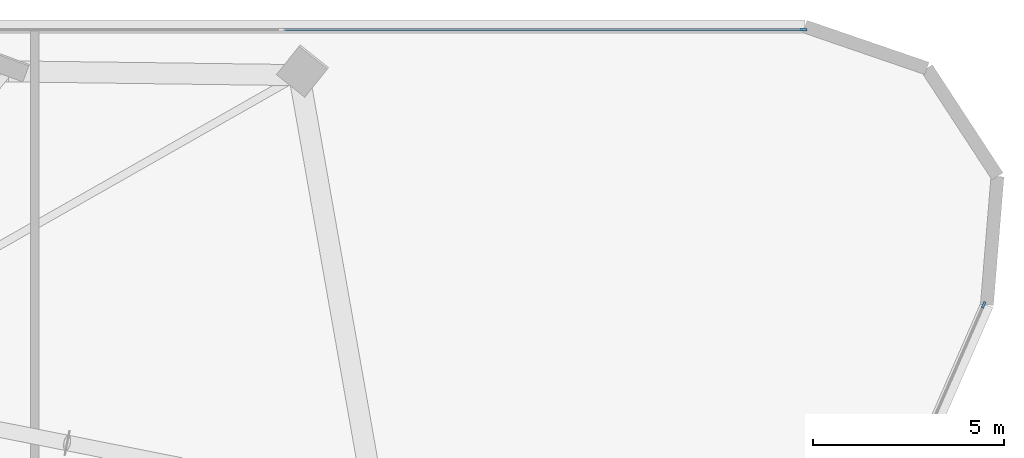
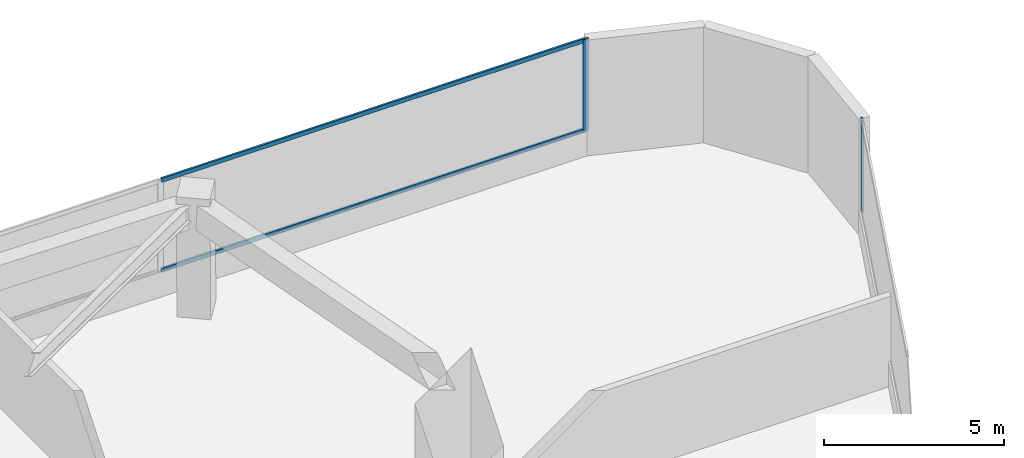
# One storey, part 14 of 20: 4 members, 2 elements without a shape of their own.
"""IFC4 building model written with IfcOpenShell, lengths in metres."""

from ifc_helpers import new_model, si_unit, direction, frame, origin, origin_2d, place, context, subcontext, project, spatial, rectangle, extrude, material, layer, layer_set, material_profile, profile_set, type_object, element, aggregate, save


model = new_model("IFC4")

# Units and contexts
model_context = context("Model", 3, precision=1e-05, world=origin(), true_north=direction((0.0, 1.0)))
body_context = subcontext(model_context, "Body", "Model", "MODEL_VIEW")
ifc_project = project(units=[si_unit("LENGTHUNIT", "METRE"), si_unit("AREAUNIT", "SQUARE_METRE"), si_unit("VOLUMEUNIT", "CUBIC_METRE"), si_unit("PLANEANGLEUNIT", "RADIAN"), si_unit("MASSUNIT", "GRAM", prefix="KILO")], contexts=[model_context])

# Site, building, storey
site_placement = place(None, origin())
site = spatial("IfcSite", under=ifc_project, at=site_placement, CompositionType="ELEMENT")
building_placement = place(site_placement, origin())
building = spatial("IfcBuilding", under=site, at=building_placement, Name="Talyreon Biosciences Tower", CompositionType="ELEMENT")
storey_placement = place(building_placement, frame((0.0, 0.0, 70.800048828125)))
storey = spatial("IfcBuildingStorey", under=building, at=storey_placement, Name="L18", CompositionType="ELEMENT", Elevation=70.800048828125)

# Curtain wall, member
ifc_material_1 = material(Name="Thermally broken aluminium and low-E glazing", Category="aluminium")
ifc_layer = layer(ifc_material_1, 0.195068359375)
ifc_layer_set = layer_set([ifc_layer], Name="Thermally broken aluminium and low-E glazing")
curtain_wall_type = type_object("IfcCurtainWallType", Name="CurtainWall_Zone1WetLab", PredefinedType="NOTDEFINED", material=ifc_layer_set)
curtain_wall_1_placement = place(storey_placement, origin())
curtain_wall_1 = element("IfcCurtainWall", 1, at=curtain_wall_1_placement, inside=storey, type_object=curtain_wall_type, Name="L18 Unitised Curtain Wall FCW-L18-04", PredefinedType="NOTDEFINED")
ifc_material_2 = material(Name="Anodised thermally broken aluminium", Category="aluminium")
ifc_material_profile_1 = material_profile(ifc_material_2, rectangle(XDim=0.06494140625, YDim=0.179931640625, at=origin_2d()), Name="ALUM MULLION 65x180")
ifc_profile_set_1 = profile_set([ifc_material_profile_1], Name="Anodised thermally broken aluminium")
member_type_1 = type_object("IfcMemberType", Name="CWMullion_65x180", PredefinedType="MULLION", material=ifc_profile_set_1)
member_1_placement = place(storey_placement, frame((93.3173828125, 91.007080078125, 0.81005859375), z_axis=(0.0, 0.0, 1.0), x_axis=(0.0, 1.0, 0.0)))
member_1 = element("IfcMember", 2, at=member_1_placement, type_object=member_type_1, Name="CW2 mullion 5", PredefinedType="MULLION", context=body_context, shape_type="SweptSolid", body=[
    extrude(rectangle(XDim=0.06494140625, YDim=0.179931640625, at=origin_2d()), origin(), (0.0, 0.0, 1.0), 3.114990234375),
])

curtain_wall_2_placement = place(storey_placement, origin())
curtain_wall_2 = element("IfcCurtainWall", 3, at=curtain_wall_2_placement, inside=storey, type_object=curtain_wall_type, Name="L18 Unitised Curtain Wall FCW-L18-08", PredefinedType="NOTDEFINED")
member_2_placement = place(storey_placement, frame((98.027587890625, 83.804931640625, 0.81005859375), z_axis=(0.0, 0.0, 1.0), x_axis=(0.916151953082, -0.400831135099, 0.0)))
member_2 = element("IfcMember", 4, at=member_2_placement, type_object=member_type_1, Name="CW2 mullion 1", PredefinedType="MULLION", context=body_context, shape_type="SweptSolid", body=[
    extrude(rectangle(XDim=0.06494140625, YDim=0.179931640625, at=origin_2d()), origin(), (0.0, 0.0, 1.0), 3.114990234375),
])
aggregate(curtain_wall_2, [member_2])

# Member
ifc_material_profile_2 = material_profile(ifc_material_2, rectangle(XDim=0.06494140625, YDim=0.139892578125, at=origin_2d()), Name="ALUM TRANSOM 65x140")
ifc_profile_set_2 = profile_set([ifc_material_profile_2], Name="Anodised thermally broken aluminium")
member_type_2 = type_object("IfcMemberType", Name="CWTransom_65x140", PredefinedType="USERDEFINED", material=ifc_profile_set_2)
member_3_placement = place(storey_placement, frame((79.70751953125, 91.007080078125, 0.842529296875), z_axis=(1.0, 0.0, 0.0), x_axis=(0.0, 1.0, 0.0)))
member_3 = element("IfcMember", 5, at=member_3_placement, type_object=member_type_2, Name="CW2 transom 4.1", ObjectType="TRANSOM", PredefinedType="USERDEFINED", context=body_context, shape_type="SweptSolid", body=[
    extrude(rectangle(XDim=0.06494140625, YDim=0.139892578125, at=origin_2d()), origin(), (0.0, 0.0, 1.0), 13.577392578125),
])

member_4_placement = place(storey_placement, frame((79.70751953125, 91.007080078125, 3.892333984375), z_axis=(1.0, 0.0, 0.0), x_axis=(0.0, 1.0, 0.0)))
member_4 = element("IfcMember", 6, at=member_4_placement, type_object=member_type_2, Name="CW2 transom 4.2", ObjectType="TRANSOM", PredefinedType="USERDEFINED", context=body_context, shape_type="SweptSolid", body=[
    extrude(rectangle(XDim=0.06494140625, YDim=0.139892578125, at=origin_2d()), origin(), (0.0, 0.0, 1.0), 13.577392578125),
])

aggregate(curtain_wall_1, [member_1, member_3, member_4])

save(model, "model.ifc")
